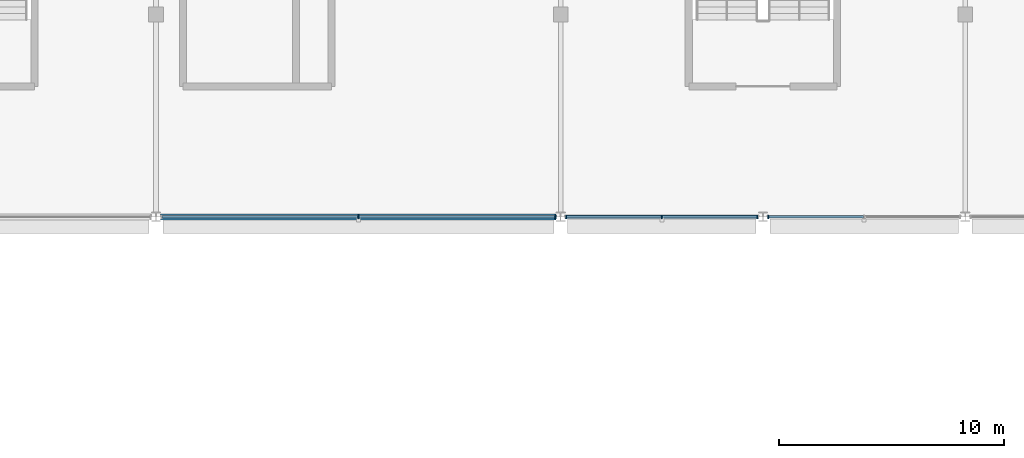
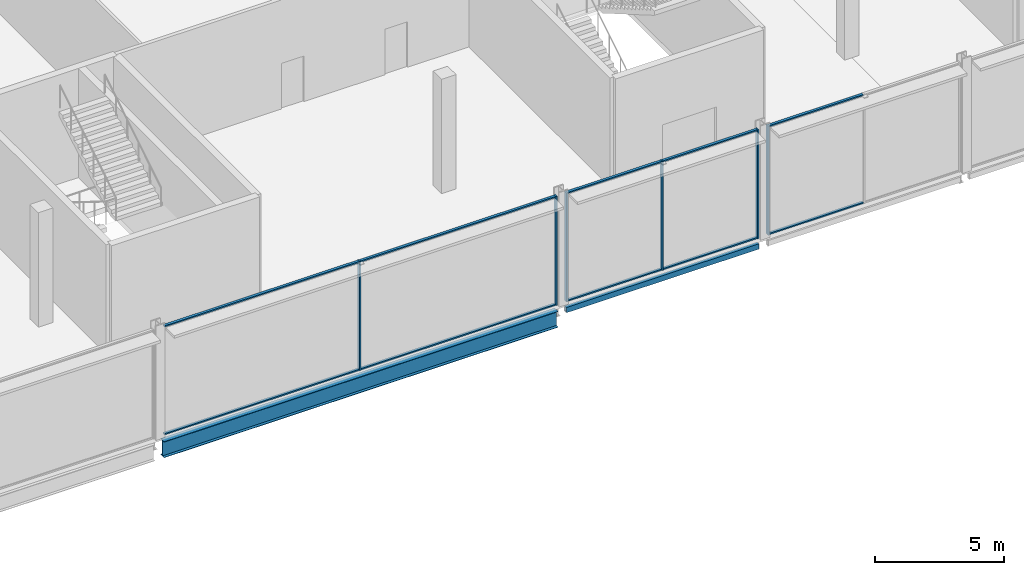
# One storey, part 33 of 111: 16 members, 2 beams, 3 elements without a shape of their own.
"""IFC4 building model written with IfcOpenShell, lengths in metres."""

from ifc_helpers import new_model, si_unit, direction, frame, origin, origin_2d, place, context, subcontext, project, spatial, rectangle, hollow_rectangle, i_section, extrude, material, layer, layer_set, material_profile, profile_set, type_object, element, aggregate, save


model = new_model("IFC4")

# Units and contexts
model_context = context("Model", 3, precision=1e-05, world=origin(), true_north=direction((0.0, 1.0)))
body_context = subcontext(model_context, "Body", "Model", "MODEL_VIEW")
ifc_project = project(units=[si_unit("LENGTHUNIT", "METRE"), si_unit("AREAUNIT", "SQUARE_METRE"), si_unit("VOLUMEUNIT", "CUBIC_METRE"), si_unit("PLANEANGLEUNIT", "RADIAN"), si_unit("MASSUNIT", "GRAM", prefix="KILO")], contexts=[model_context])

# Site, building, storey
site_placement = place(None, origin())
site = spatial("IfcSite", under=ifc_project, at=site_placement, CompositionType="ELEMENT")
building_placement = place(site_placement, origin())
building = spatial("IfcBuilding", under=site, at=building_placement, Name="Kisiwana Market Hall", CompositionType="ELEMENT")
storey_placement = place(building_placement, frame((0.0, 0.0, 11.39990234375)))
storey = spatial("IfcBuildingStorey", under=building, at=storey_placement, Name="L02", CompositionType="ELEMENT", Elevation=11.39990234375)

# Beams
ifc_material_1 = material(Name="Steel S355", Category="steel")
ifc_material_profile_1 = material_profile(ifc_material_1, i_section(OverallWidth=0.2666015625, OverallDepth=0.76220703125, WebThickness=0.014404296875, FlangeThickness=0.021484375, at=origin_2d()), Name="UB 762x267x173")
ifc_profile_set_1 = profile_set([ifc_material_profile_1], Name="Steel S355")
beam_type_1 = type_object("IfcBeamType", Name="BM-GIRD-UB762", PredefinedType="BEAM", material=ifc_profile_set_1)
beam_1_placement = place(storey_placement, frame((63.201904296875, 84.0, -0.631103515625), z_axis=(1.0, 0.0, 0.0), x_axis=(0.0, 1.0, 0.0)))
element("IfcBeam", 1, at=beam_1_placement, inside=storey, type_object=beam_type_1, Name="Floor beam B-0778", PredefinedType="BEAM", context=body_context, shape_type="SweptSolid", body=[
    extrude(i_section(OverallWidth=0.2666015625, OverallDepth=0.76220703125, WebThickness=0.014404296875, FlangeThickness=0.021484375, at=origin_2d()), origin(), (0.0, 0.0, 1.0), 17.59619140625),
])
ifc_material_2 = material(Name="Steel S355", Category="steel")
ifc_material_profile_2 = material_profile(ifc_material_2, hollow_rectangle(XDim=0.14990234375, YDim=0.25, WallThickness=0.010009765625, at=origin_2d()), Name="RHS 250x150x10.0")
ifc_profile_set_2 = profile_set([ifc_material_profile_2], Name="Steel S355")
beam_type_2 = type_object("IfcBeamType", Name="BM-SPAN-RHS250", PredefinedType="SPANDREL", material=ifc_profile_set_2)
beam_2_placement = place(storey_placement, frame((81.201904296875, 84.0, -0.375), z_axis=(1.0, 0.0, 0.0), x_axis=(0.0, 1.0, 0.0)))
element("IfcBeam", 2, at=beam_2_placement, inside=storey, type_object=beam_type_2, Name="Floor beam B-0779", PredefinedType="SPANDREL", context=body_context, shape_type="SweptSolid", body=[
    extrude(hollow_rectangle(XDim=0.14990234375, YDim=0.25, WallThickness=0.010009765625, at=origin_2d()), origin(), (0.0, 0.0, 1.0), 8.59619140625),
])

# Curtain wall, members
ifc_material_3 = material(Name="Double-glazed solar-control low-E IGU", Category="glass")
ifc_layer = layer(ifc_material_3, 0.159912109375)
ifc_layer_set = layer_set([ifc_layer], Name="CW-GLD-W-6400")
curtain_wall_type = type_object("IfcCurtainWallType", Name="CW-GLD-W-6400", PredefinedType="USERDEFINED", material=ifc_layer_set)
curtain_wall_1_placement = place(storey_placement, origin())
curtain_wall_1 = element("IfcCurtainWall", 3, at=curtain_wall_1_placement, inside=storey, type_object=curtain_wall_type, Name="Unitised curtain wall CW-072 (L02)", ObjectType="UNITISED CURTAIN WALL", PredefinedType="USERDEFINED")
ifc_material_4 = material(Name="Aluminium alloy 6063-T6", Category="aluminium")
ifc_material_profile_3 = material_profile(ifc_material_4, rectangle(XDim=0.06005859375, YDim=0.159912109375, at=origin_2d()), Name="ALU MULLION 60x160")
ifc_profile_set_3 = profile_set([ifc_material_profile_3], Name="Aluminium alloy 6063-T6")
member_type_1 = type_object("IfcMemberType", Name="CW-MULL-60x160", PredefinedType="MULLION", material=ifc_profile_set_3)
member_1_placement = place(storey_placement, frame((72.0, 84.0, 0.0), z_axis=(0.0, 0.0, 1.0), x_axis=(1.0, 0.0, 0.0)))
member_1 = element("IfcMember", 4, at=member_1_placement, type_object=member_type_1, Name="CW-072 mullion 2", PredefinedType="MULLION", context=body_context, shape_type="SweptSolid", body=[
    extrude(rectangle(XDim=0.06005859375, YDim=0.159912109375, at=origin_2d()), origin(), (0.0, 0.0, 1.0), 5.150146484375),
])
member_2_placement = place(storey_placement, frame((80.763916015625, 84.0, 0.0), z_axis=(0.0, 0.0, 1.0), x_axis=(1.0, 0.0, 0.0)))
member_2 = element("IfcMember", 5, at=member_2_placement, type_object=member_type_1, Name="CW-072 mullion 3", PredefinedType="MULLION", context=body_context, shape_type="SweptSolid", body=[
    extrude(rectangle(XDim=0.06005859375, YDim=0.159912109375, at=origin_2d()), origin(), (0.0, 0.0, 1.0), 5.150146484375),
])

curtain_wall_2_placement = place(storey_placement, origin())
curtain_wall_2 = element("IfcCurtainWall", 6, at=curtain_wall_2_placement, inside=storey, type_object=curtain_wall_type, Name="Unitised curtain wall CW-073 (L02)", ObjectType="UNITISED CURTAIN WALL", PredefinedType="USERDEFINED")
member_3_placement = place(storey_placement, frame((81.236083984375, 84.0, 0.0), z_axis=(0.0, 0.0, 1.0), x_axis=(1.0, 0.0, 0.0)))
member_3 = element("IfcMember", 7, at=member_3_placement, type_object=member_type_1, Name="CW-073 mullion 1", PredefinedType="MULLION", context=body_context, shape_type="SweptSolid", body=[
    extrude(rectangle(XDim=0.06005859375, YDim=0.159912109375, at=origin_2d()), origin(), (0.0, 0.0, 1.0), 5.150146484375),
])
member_4_placement = place(storey_placement, frame((85.5, 84.0, 0.0), z_axis=(0.0, 0.0, 1.0), x_axis=(1.0, 0.0, 0.0)))
member_4 = element("IfcMember", 8, at=member_4_placement, type_object=member_type_1, Name="CW-073 mullion 2", PredefinedType="MULLION", context=body_context, shape_type="SweptSolid", body=[
    extrude(rectangle(XDim=0.06005859375, YDim=0.159912109375, at=origin_2d()), origin(), (0.0, 0.0, 1.0), 5.150146484375),
])
member_5_placement = place(storey_placement, frame((89.763916015625, 84.0, 0.0), z_axis=(0.0, 0.0, 1.0), x_axis=(1.0, 0.0, 0.0)))
member_5 = element("IfcMember", 9, at=member_5_placement, type_object=member_type_1, Name="CW-073 mullion 3", PredefinedType="MULLION", context=body_context, shape_type="SweptSolid", body=[
    extrude(rectangle(XDim=0.06005859375, YDim=0.159912109375, at=origin_2d()), origin(), (0.0, 0.0, 1.0), 5.150146484375),
])

# Curtain wall, member
curtain_wall_3_placement = place(storey_placement, origin())
curtain_wall_3 = element("IfcCurtainWall", 10, at=curtain_wall_3_placement, inside=storey, type_object=curtain_wall_type, Name="Unitised curtain wall CW-074 (L02)", ObjectType="UNITISED CURTAIN WALL", PredefinedType="USERDEFINED")
member_6_placement = place(storey_placement, frame((90.236083984375, 84.0, 0.0), z_axis=(0.0, 0.0, 1.0), x_axis=(1.0, 0.0, 0.0)))
member_6 = element("IfcMember", 11, at=member_6_placement, type_object=member_type_1, Name="CW-074 mullion 1", PredefinedType="MULLION", context=body_context, shape_type="SweptSolid", body=[
    extrude(rectangle(XDim=0.06005859375, YDim=0.159912109375, at=origin_2d()), origin(), (0.0, 0.0, 1.0), 5.150146484375),
])

# Member
ifc_material_5 = material(Name="Aluminium alloy 6063-T6", Category="aluminium")
ifc_material_profile_4 = material_profile(ifc_material_5, rectangle(XDim=0.1201171875, YDim=0.06005859375, at=origin_2d()), Name="ALU TRANSOM 60x120")
ifc_profile_set_4 = profile_set([ifc_material_profile_4], Name="Aluminium alloy 6063-T6")
member_type_2 = type_object("IfcMemberType", Name="CW-TRAN-60x120", PredefinedType="USERDEFINED", material=ifc_profile_set_4)
member_7_placement = place(storey_placement, frame((63.26611328125, 84.0, 0.030029296875), z_axis=(1.0, 0.0, 0.0), x_axis=(0.0, 1.0, 0.0)))
member_7 = element("IfcMember", 12, at=member_7_placement, type_object=member_type_2, Name="CW-072 transom 1.1", ObjectType="TRANSOM", PredefinedType="USERDEFINED", context=body_context, shape_type="SweptSolid", body=[
    extrude(rectangle(XDim=0.1201171875, YDim=0.06005859375, at=origin_2d()), origin(), (0.0, 0.0, 1.0), 8.703857421875),
])

member_8_placement = place(storey_placement, frame((63.26611328125, 84.0, 5.1201171875), z_axis=(1.0, 0.0, 0.0), x_axis=(0.0, 1.0, 0.0)))
member_8 = element("IfcMember", 13, at=member_8_placement, type_object=member_type_2, Name="CW-072 transom 1.2", ObjectType="TRANSOM", PredefinedType="USERDEFINED", context=body_context, shape_type="SweptSolid", body=[
    extrude(rectangle(XDim=0.1201171875, YDim=0.06005859375, at=origin_2d()), origin(), (0.0, 0.0, 1.0), 8.703857421875),
])

member_9_placement = place(storey_placement, frame((72.030029296875, 84.0, 0.030029296875), z_axis=(1.0, 0.0, 0.0), x_axis=(0.0, 1.0, 0.0)))
member_9 = element("IfcMember", 14, at=member_9_placement, type_object=member_type_2, Name="CW-072 transom 2.1", ObjectType="TRANSOM", PredefinedType="USERDEFINED", context=body_context, shape_type="SweptSolid", body=[
    extrude(rectangle(XDim=0.1201171875, YDim=0.06005859375, at=origin_2d()), origin(), (0.0, 0.0, 1.0), 8.703857421875),
])

member_10_placement = place(storey_placement, frame((72.030029296875, 84.0, 5.1201171875), z_axis=(1.0, 0.0, 0.0), x_axis=(0.0, 1.0, 0.0)))
member_10 = element("IfcMember", 15, at=member_10_placement, type_object=member_type_2, Name="CW-072 transom 2.2", ObjectType="TRANSOM", PredefinedType="USERDEFINED", context=body_context, shape_type="SweptSolid", body=[
    extrude(rectangle(XDim=0.1201171875, YDim=0.06005859375, at=origin_2d()), origin(), (0.0, 0.0, 1.0), 8.703857421875),
])

aggregate(curtain_wall_1, [member_1, member_2, member_7, member_8, member_9, member_10])

member_11_placement = place(storey_placement, frame((81.26611328125, 84.0, 0.030029296875), z_axis=(1.0, 0.0, 0.0), x_axis=(0.0, 1.0, 0.0)))
member_11 = element("IfcMember", 16, at=member_11_placement, type_object=member_type_2, Name="CW-073 transom 1.1", ObjectType="TRANSOM", PredefinedType="USERDEFINED", context=body_context, shape_type="SweptSolid", body=[
    extrude(rectangle(XDim=0.1201171875, YDim=0.06005859375, at=origin_2d()), origin(), (0.0, 0.0, 1.0), 4.203857421875),
])

member_12_placement = place(storey_placement, frame((81.26611328125, 84.0, 5.1201171875), z_axis=(1.0, 0.0, 0.0), x_axis=(0.0, 1.0, 0.0)))
member_12 = element("IfcMember", 17, at=member_12_placement, type_object=member_type_2, Name="CW-073 transom 1.2", ObjectType="TRANSOM", PredefinedType="USERDEFINED", context=body_context, shape_type="SweptSolid", body=[
    extrude(rectangle(XDim=0.1201171875, YDim=0.06005859375, at=origin_2d()), origin(), (0.0, 0.0, 1.0), 4.203857421875),
])

member_13_placement = place(storey_placement, frame((85.530029296875, 84.0, 0.030029296875), z_axis=(1.0, 0.0, 0.0), x_axis=(0.0, 1.0, 0.0)))
member_13 = element("IfcMember", 18, at=member_13_placement, type_object=member_type_2, Name="CW-073 transom 2.1", ObjectType="TRANSOM", PredefinedType="USERDEFINED", context=body_context, shape_type="SweptSolid", body=[
    extrude(rectangle(XDim=0.1201171875, YDim=0.06005859375, at=origin_2d()), origin(), (0.0, 0.0, 1.0), 4.203857421875),
])

member_14_placement = place(storey_placement, frame((85.530029296875, 84.0, 5.1201171875), z_axis=(1.0, 0.0, 0.0), x_axis=(0.0, 1.0, 0.0)))
member_14 = element("IfcMember", 19, at=member_14_placement, type_object=member_type_2, Name="CW-073 transom 2.2", ObjectType="TRANSOM", PredefinedType="USERDEFINED", context=body_context, shape_type="SweptSolid", body=[
    extrude(rectangle(XDim=0.1201171875, YDim=0.06005859375, at=origin_2d()), origin(), (0.0, 0.0, 1.0), 4.203857421875),
])

aggregate(curtain_wall_2, [member_3, member_4, member_5, member_11, member_12, member_13, member_14])

member_15_placement = place(storey_placement, frame((90.26611328125, 84.0, 0.030029296875), z_axis=(1.0, 0.0, 0.0), x_axis=(0.0, 1.0, 0.0)))
member_15 = element("IfcMember", 20, at=member_15_placement, type_object=member_type_2, Name="CW-074 transom 1.1", ObjectType="TRANSOM", PredefinedType="USERDEFINED", context=body_context, shape_type="SweptSolid", body=[
    extrude(rectangle(XDim=0.1201171875, YDim=0.06005859375, at=origin_2d()), origin(), (0.0, 0.0, 1.0), 4.203857421875),
])

member_16_placement = place(storey_placement, frame((90.26611328125, 84.0, 5.1201171875), z_axis=(1.0, 0.0, 0.0), x_axis=(0.0, 1.0, 0.0)))
member_16 = element("IfcMember", 21, at=member_16_placement, type_object=member_type_2, Name="CW-074 transom 1.2", ObjectType="TRANSOM", PredefinedType="USERDEFINED", context=body_context, shape_type="SweptSolid", body=[
    extrude(rectangle(XDim=0.1201171875, YDim=0.06005859375, at=origin_2d()), origin(), (0.0, 0.0, 1.0), 4.203857421875),
])

aggregate(curtain_wall_3, [member_6, member_15, member_16])

save(model, "model.ifc")
